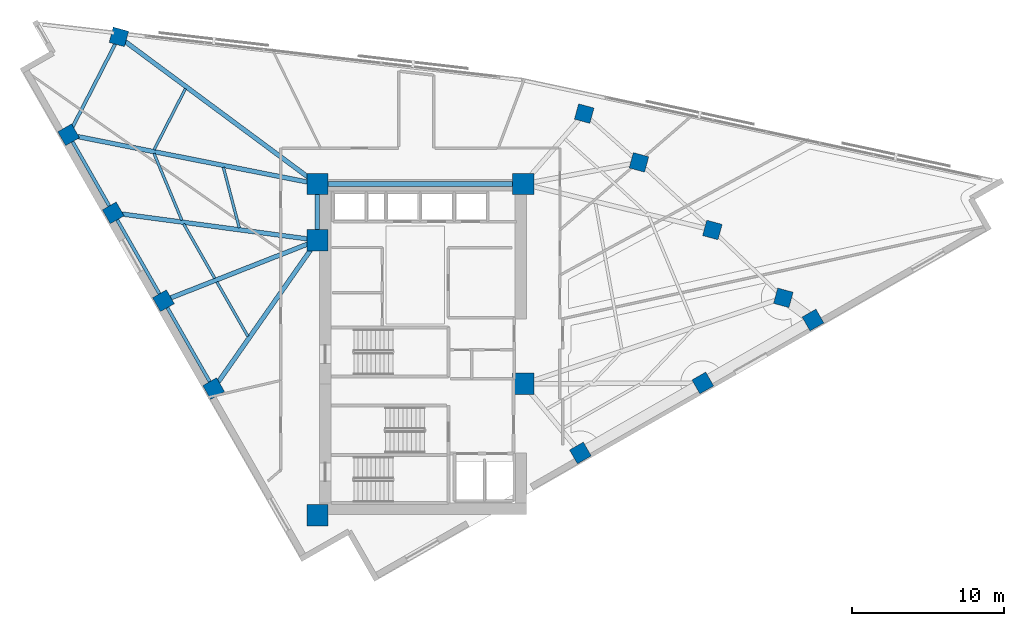
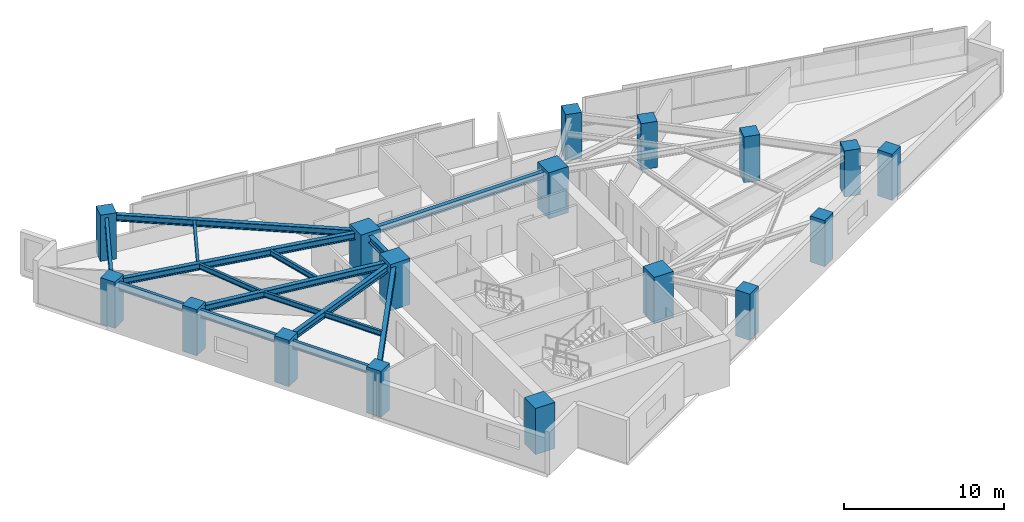
# One storey, part 1 of 14: 17 columns, 16 beams.
"""IFC4 building model written with IfcOpenShell, lengths in metres."""

from ifc_helpers import new_model, si_unit, direction, frame, origin, origin_2d, place, context, subcontext, project, spatial, rectangle, i_section, extrude, material, material_profile, profile_set, type_object, element, save


model = new_model("IFC4")

# Units and contexts
model_context = context("Model", 3, precision=1e-05, world=origin(), true_north=direction((0.0, 1.0)))
body_context = subcontext(model_context, "Body", "Model", "MODEL_VIEW")
ifc_project = project(units=[si_unit("LENGTHUNIT", "METRE"), si_unit("AREAUNIT", "SQUARE_METRE"), si_unit("VOLUMEUNIT", "CUBIC_METRE"), si_unit("PLANEANGLEUNIT", "RADIAN"), si_unit("MASSUNIT", "GRAM", prefix="KILO")], contexts=[model_context])

# Site, building, storey
site_placement = place(None, origin())
site = spatial("IfcSite", under=ifc_project, at=site_placement, CompositionType="ELEMENT")
building_placement = place(site_placement, origin())
building = spatial("IfcBuilding", under=site, at=building_placement, Name="Narakoshi Arena Tower", CompositionType="ELEMENT")
storey_placement = place(building_placement, frame((0.0, 0.0, 214.97998046875)))
storey = spatial("IfcBuildingStorey", under=building, at=storey_placement, Name="L58", CompositionType="ELEMENT", Elevation=214.97998046875)

# Columns
ifc_material_1 = material(Name="Concrete C50/60", Category="concrete")
ifc_material_profile_1 = material_profile(ifc_material_1, rectangle(XDim=1.050048828125, YDim=1.050048828125, at=origin_2d()), Name="RC1050x1050")
ifc_profile_set_1 = profile_set([ifc_material_profile_1], Name="Concrete C50/60")
column_type_1 = type_object("IfcColumnType", Name="COL-RC1050", PredefinedType="COLUMN", material=ifc_profile_set_1)
for number, where, z_axis, x_axis, name in (
    (1, (89.30810546875, 38.798583984375, 0.0), (0.0, 0.0, 1.0), (0.868198814489, 0.496216503675, 0.0), "L58 Tower Perimeter Column TC01"),
    (2, (97.366943359375, 43.404541015625, 0.0), (0.0, 0.0, 1.0), (0.868198814489, 0.496216503675, 0.0), "L58 Tower Perimeter Column TC02"),
    (3, (104.619873046875, 47.550048828125, 0.0), (0.0, 0.0, 1.0), (0.868198814489, 0.496216503675, 0.0), "L58 Tower Perimeter Column TC03"),
    (4, (102.668701171875, 49.009521484375, 0.0), (0.0, 0.0, 1.0), (0.263031214458, 0.964787323829, 0.0), "L58 Tower Perimeter Column TC05"),
    (5, (97.997802734375, 53.47509765625, 0.0), (0.0, 0.0, 1.0), (0.263031214458, 0.964787323829, 0.0), "L58 Tower Perimeter Column TC06"),
    (6, (93.16650390625, 57.923828125, 0.0), (0.0, 0.0, 1.0), (0.263031214458, 0.964787323829, 0.0), "L58 Tower Perimeter Column TC07"),
    (7, (89.5615234375, 61.134765625, 0.0), (0.0, 0.0, 1.0), (0.263031214458, 0.964787323829, 0.0), "L58 Tower Perimeter Column TC08"),
    (8, (58.934326171875, 66.183837890625, 0.0), (0.0, 0.0, 1.0), (0.263031214458, 0.964787323829, 0.0), "L58 Tower Perimeter Column TC10"),
    (9, (55.624755859375, 59.74169921875, 0.0), (0.0, 0.0, 1.0), (-0.496216503675, 0.868198814489, 0.0), "L58 Tower Perimeter Column TC13"),
    (10, (58.562744140625, 54.60107421875, 0.0), (0.0, 0.0, 1.0), (-0.496216503675, 0.868198814489, 0.0), "L58 Tower Perimeter Column TC14"),
    (11, (61.8681640625, 48.81787109375, 0.0), (0.0, 0.0, 1.0), (-0.496216503675, 0.868198814489, 0.0), "L58 Tower Perimeter Column TC15"),
    (12, (65.17333984375, 43.03466796875, 0.0), (0.0, 0.0, 1.0), (-0.496216503675, 0.868198814489, 0.0), "L58 Tower Perimeter Column TC16"),
):
    element("IfcColumn", number, at=place(storey_placement, frame(where, z_axis=z_axis, x_axis=x_axis)), inside=storey, type_object=column_type_1, Name=name, PredefinedType="COLUMN", context=body_context, shape_type="SweptSolid", body=[
        extrude(rectangle(XDim=1.050048828125, YDim=1.050048828125, at=origin_2d()), origin(), (0.0, 0.0, 1.0), 3.52001953125),
    ])
ifc_material_2 = material(Name="Concrete C60/75", Category="concrete")
ifc_material_profile_2 = material_profile(ifc_material_2, rectangle(XDim=1.39990234375, YDim=1.39990234375, at=origin_2d()), Name="RC1400x1400")
ifc_profile_set_2 = profile_set([ifc_material_profile_2], Name="Concrete C60/75")
column_type_2 = type_object("IfcColumnType", Name="COL-RC1400", PredefinedType="COLUMN", material=ifc_profile_set_2)
for number, where, z_axis, x_axis, name in (
    (13, (72.0, 34.699951171875, 0.0), (0.0, 0.0, 1.0), (1.0, 0.0, 0.0), "L58 Core Structural Column CC1"),
    (14, (85.550048828125, 43.35009765625, 0.0), (0.0, 0.0, 1.0), (1.0, 0.0, 0.0), "L58 Core Structural Column CC3"),
    (15, (72.0, 52.800048828125, 0.0), (0.0, 0.0, 1.0), (1.0, 0.0, 0.0), "L58 Core Structural Column CC4"),
    (16, (72.0, 56.5, 0.0), (0.0, 0.0, 1.0), (1.0, 0.0, 0.0), "L58 Core Structural Column CC5"),
    (17, (85.550048828125, 56.5, 0.0), (0.0, 0.0, 1.0), (1.0, 0.0, 0.0), "L58 Core Structural Column CC6"),
):
    element("IfcColumn", number, at=place(storey_placement, frame(where, z_axis=z_axis, x_axis=x_axis)), inside=storey, type_object=column_type_2, Name=name, PredefinedType="COLUMN", context=body_context, shape_type="SweptSolid", body=[
        extrude(rectangle(XDim=1.39990234375, YDim=1.39990234375, at=origin_2d()), origin(), (0.0, 0.0, 1.0), 3.52001953125),
    ])

# Beams
ifc_material_3 = material(Name="Structural steel S355J2", Category="steel")
ifc_material_profile_3 = material_profile(ifc_material_3, i_section(OverallWidth=0.219970703125, OverallDepth=0.60009765625, WebThickness=0.011962890625, FlangeThickness=0.01904296875, FilletRadius=0.02392578125, at=origin_2d()), Name="IPE600")
ifc_profile_set_3 = profile_set([ifc_material_profile_3], Name="Structural steel S355J2")
beam_type_1 = type_object("IfcBeamType", Name="BM-EDGE-600", PredefinedType="BEAM", material=ifc_profile_set_3)
beam_1_placement = place(storey_placement, frame((58.934326171875, 66.183837890625, 2.9599609375), z_axis=(-0.45696256568, -0.889485926571, 0.0), x_axis=(0.889485926571, -0.45696256568, 0.0)))
element("IfcBeam", 18, at=beam_1_placement, inside=storey, type_object=beam_type_1, Name="L58 Perimeter Edge Girder 08", PredefinedType="BEAM", context=body_context, shape_type="SweptSolid", body=[
    extrude(i_section(OverallWidth=0.219970703125, OverallDepth=0.60009765625, WebThickness=0.011962890625, FlangeThickness=0.01904296875, FilletRadius=0.02392578125, at=origin_2d()), origin(), (0.0, 0.0, 1.0), 7.242431640625),
])
beam_2_placement = place(storey_placement, frame((55.624755859375, 59.74169921875, 2.9599609375), z_axis=(0.496201104161, -0.868207615856, 0.0), x_axis=(0.868207615856, 0.496201104161, 0.0)))
element("IfcBeam", 19, at=beam_2_placement, inside=storey, type_object=beam_type_1, Name="L58 Perimeter Edge Girder 09", PredefinedType="BEAM", context=body_context, shape_type="SweptSolid", body=[
    extrude(i_section(OverallWidth=0.219970703125, OverallDepth=0.60009765625, WebThickness=0.011962890625, FlangeThickness=0.01904296875, FilletRadius=0.02392578125, at=origin_2d()), origin(), (0.0, 0.0, 1.0), 5.9208984375),
])
for number, where, z_axis, x_axis, name in (
    (20, (58.562744140625, 54.60107421875, 2.9599609375), (0.496221824399, -0.868195773423, 0.0), (0.868195773423, 0.496221824399, 0.0), "L58 Perimeter Edge Girder 10"),
    (21, (61.8681640625, 48.81787109375, 2.9599609375), (0.496194197226, -0.868211563295, 0.0), (0.868211563295, 0.496194197226, 0.0), "L58 Perimeter Edge Girder 11"),
):
    element("IfcBeam", number, at=place(storey_placement, frame(where, z_axis=z_axis, x_axis=x_axis)), inside=storey, type_object=beam_type_1, Name=name, PredefinedType="BEAM", context=body_context, shape_type="SweptSolid", body=[
        extrude(i_section(OverallWidth=0.219970703125, OverallDepth=0.60009765625, WebThickness=0.011962890625, FlangeThickness=0.01904296875, FilletRadius=0.02392578125, at=origin_2d()), origin(), (0.0, 0.0, 1.0), 6.6611328125),
    ])
ifc_material_profile_4 = material_profile(ifc_material_3, i_section(OverallWidth=0.300048828125, OverallDepth=0.5, WebThickness=0.014404296875, FlangeThickness=0.028076171875, FilletRadius=0.027099609375, at=origin_2d()), Name="HE500B")
ifc_profile_set_4 = profile_set([ifc_material_profile_4], Name="Structural steel S355J2")
beam_type_2 = type_object("IfcBeamType", Name="BM-PRI-500", PredefinedType="BEAM", material=ifc_profile_set_4)
beam_3_placement = place(storey_placement, frame((72.0, 56.5, 3.010009765625), z_axis=(-0.803393614053, 0.595448319252, 0.0), x_axis=(-0.595448319252, -0.803393614053, 0.0)))
element("IfcBeam", 22, at=beam_3_placement, inside=storey, type_object=beam_type_2, Name="L58 Radial Primary Floor Girder 08", PredefinedType="BEAM", context=body_context, shape_type="SweptSolid", body=[
    extrude(i_section(OverallWidth=0.300048828125, OverallDepth=0.5, WebThickness=0.014404296875, FlangeThickness=0.028076171875, FilletRadius=0.027099609375, at=origin_2d()), origin(), (0.0, 0.0, 1.0), 16.26318359375),
])
beam_4_placement = place(storey_placement, frame((72.0, 56.5, 3.010009765625), z_axis=(-0.980962989548, 0.194194781435, 0.0), x_axis=(-0.194194781435, -0.980962989548, 0.0)))
element("IfcBeam", 23, at=beam_4_placement, inside=storey, type_object=beam_type_2, Name="L58 Radial Primary Floor Girder 09", PredefinedType="BEAM", context=body_context, shape_type="SweptSolid", body=[
    extrude(i_section(OverallWidth=0.300048828125, OverallDepth=0.5, WebThickness=0.014404296875, FlangeThickness=0.028076171875, FilletRadius=0.027099609375, at=origin_2d()), origin(), (0.0, 0.0, 1.0), 16.693115234375),
])
beam_5_placement = place(storey_placement, frame((72.0, 52.800048828125, 3.010009765625), z_axis=(-0.991136919777, 0.132844293268, 0.0), x_axis=(-0.132844293268, -0.991136919777, 0.0)))
element("IfcBeam", 24, at=beam_5_placement, inside=storey, type_object=beam_type_2, Name="L58 Radial Primary Floor Girder 10", PredefinedType="BEAM", context=body_context, shape_type="SweptSolid", body=[
    extrude(i_section(OverallWidth=0.300048828125, OverallDepth=0.5, WebThickness=0.014404296875, FlangeThickness=0.028076171875, FilletRadius=0.027099609375, at=origin_2d()), origin(), (0.0, 0.0, 1.0), 13.557373046875),
])
beam_6_placement = place(storey_placement, frame((72.0, 52.800048828125, 3.010009765625), z_axis=(-0.930694784397, -0.365796689838, 0.0), x_axis=(0.365796689838, -0.930694784397, 0.0)))
element("IfcBeam", 25, at=beam_6_placement, inside=storey, type_object=beam_type_2, Name="L58 Radial Primary Floor Girder 11", PredefinedType="BEAM", context=body_context, shape_type="SweptSolid", body=[
    extrude(i_section(OverallWidth=0.300048828125, OverallDepth=0.5, WebThickness=0.014404296875, FlangeThickness=0.028076171875, FilletRadius=0.027099609375, at=origin_2d()), origin(), (0.0, 0.0, 1.0), 10.88623046875),
])
beam_7_placement = place(storey_placement, frame((72.0, 52.800048828125, 3.010009765625), z_axis=(-0.572949287291, -0.819590821198, 0.0), x_axis=(0.819590821198, -0.572949287291, 0.0)))
element("IfcBeam", 26, at=beam_7_placement, inside=storey, type_object=beam_type_2, Name="L58 Radial Primary Floor Girder 12", PredefinedType="BEAM", context=body_context, shape_type="SweptSolid", body=[
    extrude(i_section(OverallWidth=0.300048828125, OverallDepth=0.5, WebThickness=0.014404296875, FlangeThickness=0.028076171875, FilletRadius=0.027099609375, at=origin_2d()), origin(), (0.0, 0.0, 1.0), 11.9150390625),
])
beam_8_placement = place(storey_placement, frame((72.0, 52.800048828125, 3.010009765625), z_axis=(0.0, 1.0, 0.0), x_axis=(-1.0, 0.0, 0.0)))
element("IfcBeam", 27, at=beam_8_placement, inside=storey, type_object=beam_type_2, Name="L58 Core Perimeter Frame Beam CC4-CC5", PredefinedType="BEAM", context=body_context, shape_type="SweptSolid", body=[
    extrude(i_section(OverallWidth=0.300048828125, OverallDepth=0.5, WebThickness=0.014404296875, FlangeThickness=0.028076171875, FilletRadius=0.027099609375, at=origin_2d()), origin(), (0.0, 0.0, 1.0), 3.699951171875),
])
beam_9_placement = place(storey_placement, frame((72.0, 56.5, 3.010009765625), z_axis=(1.0, 0.0, 0.0), x_axis=(0.0, 1.0, 0.0)))
element("IfcBeam", 28, at=beam_9_placement, inside=storey, type_object=beam_type_2, Name="L58 Core Perimeter Frame Beam CC5-CC6", PredefinedType="BEAM", context=body_context, shape_type="SweptSolid", body=[
    extrude(i_section(OverallWidth=0.300048828125, OverallDepth=0.5, WebThickness=0.014404296875, FlangeThickness=0.028076171875, FilletRadius=0.027099609375, at=origin_2d()), origin(), (0.0, 0.0, 1.0), 13.550048828125),
])
ifc_material_profile_5 = material_profile(ifc_material_3, i_section(OverallWidth=0.179931640625, OverallDepth=0.39990234375, WebThickness=0.008544921875, FlangeThickness=0.013427734375, FilletRadius=0.02099609375, at=origin_2d()), Name="IPE400")
ifc_profile_set_5 = profile_set([ifc_material_profile_5], Name="Structural steel S355J2")
beam_type_3 = type_object("IfcBeamType", Name="BM-SEC-400", PredefinedType="JOIST", material=ifc_profile_set_5)
beam_10_placement = place(storey_placement, frame((63.31494140625, 62.771240234375, 3.06005859375), z_axis=(-0.456973703067, -0.889480204785, 0.0), x_axis=(0.889480204785, -0.456973703067, 0.0)))
element("IfcBeam", 29, at=beam_10_placement, inside=storey, type_object=beam_type_3, Name="L58 Composite Secondary Floor Joist 09", PredefinedType="JOIST", context=body_context, shape_type="SweptSolid", body=[
    extrude(i_section(OverallWidth=0.179931640625, OverallDepth=0.39990234375, WebThickness=0.008544921875, FlangeThickness=0.013427734375, FilletRadius=0.02099609375, at=origin_2d()), origin(), (0.0, 0.0, 1.0), 4.51025390625),
])
beam_11_placement = place(storey_placement, frame((65.811767578125, 57.601318359375, 3.06005859375), z_axis=(0.254225056147, -0.967145087785, 0.0), x_axis=(0.967145087785, 0.254225056147, 0.0)))
element("IfcBeam", 30, at=beam_11_placement, inside=storey, type_object=beam_type_3, Name="L58 Composite Secondary Floor Joist 10", PredefinedType="JOIST", context=body_context, shape_type="SweptSolid", body=[
    extrude(i_section(OverallWidth=0.179931640625, OverallDepth=0.39990234375, WebThickness=0.008544921875, FlangeThickness=0.013427734375, FilletRadius=0.02099609375, at=origin_2d()), origin(), (0.0, 0.0, 1.0), 4.121826171875),
])
beam_12_placement = place(storey_placement, frame((61.244384765625, 58.514892578125, 3.06005859375), z_axis=(0.384829846307, -0.922987534797, 0.0), x_axis=(0.922987534797, 0.384829846307, 0.0)))
element("IfcBeam", 31, at=beam_12_placement, inside=storey, type_object=beam_type_3, Name="L58 Composite Secondary Floor Joist 11", PredefinedType="JOIST", context=body_context, shape_type="SweptSolid", body=[
    extrude(i_section(OverallWidth=0.179931640625, OverallDepth=0.39990234375, WebThickness=0.008544921875, FlangeThickness=0.013427734375, FilletRadius=0.02099609375, at=origin_2d()), origin(), (0.0, 0.0, 1.0), 4.768798828125),
])
for number, where, z_axis, x_axis, name in (
    (32, (63.198486328125, 53.87158203125, 3.06005859375), (0.496221767919, -0.868195805705, 0.0), (0.868195805705, 0.496221767919, 0.0), "L58 Composite Secondary Floor Joist 12"),
    (33, (65.3798828125, 50.0546875, 3.06005859375), (0.496221767919, -0.868195805705, 0.0), (0.868195805705, 0.496221767919, 0.0), "L58 Composite Secondary Floor Joist 13"),
):
    element("IfcBeam", number, at=place(storey_placement, frame(where, z_axis=z_axis, x_axis=x_axis)), inside=storey, type_object=beam_type_3, Name=name, PredefinedType="JOIST", context=body_context, shape_type="SweptSolid", body=[
        extrude(i_section(OverallWidth=0.179931640625, OverallDepth=0.39990234375, WebThickness=0.008544921875, FlangeThickness=0.013427734375, FilletRadius=0.02099609375, at=origin_2d()), origin(), (0.0, 0.0, 1.0), 4.12646484375),
    ])

save(model, "model.ifc")
